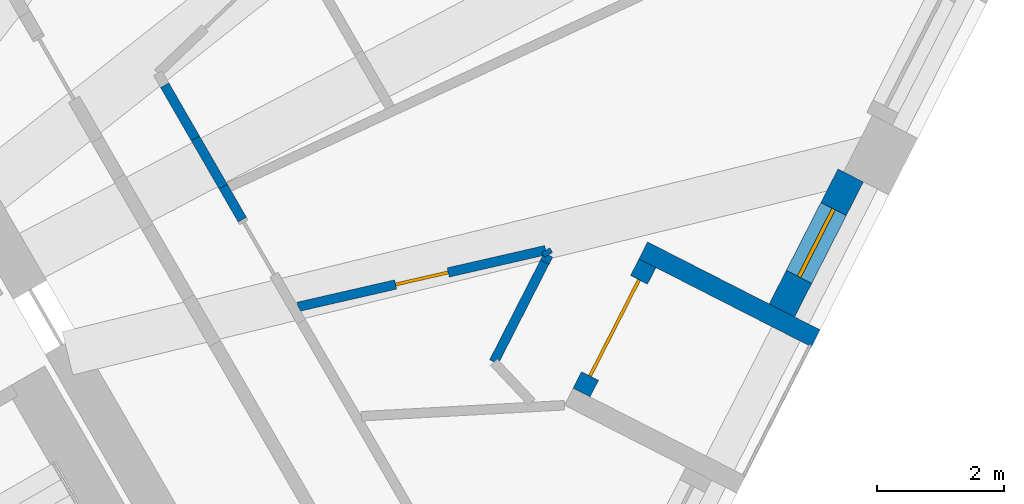
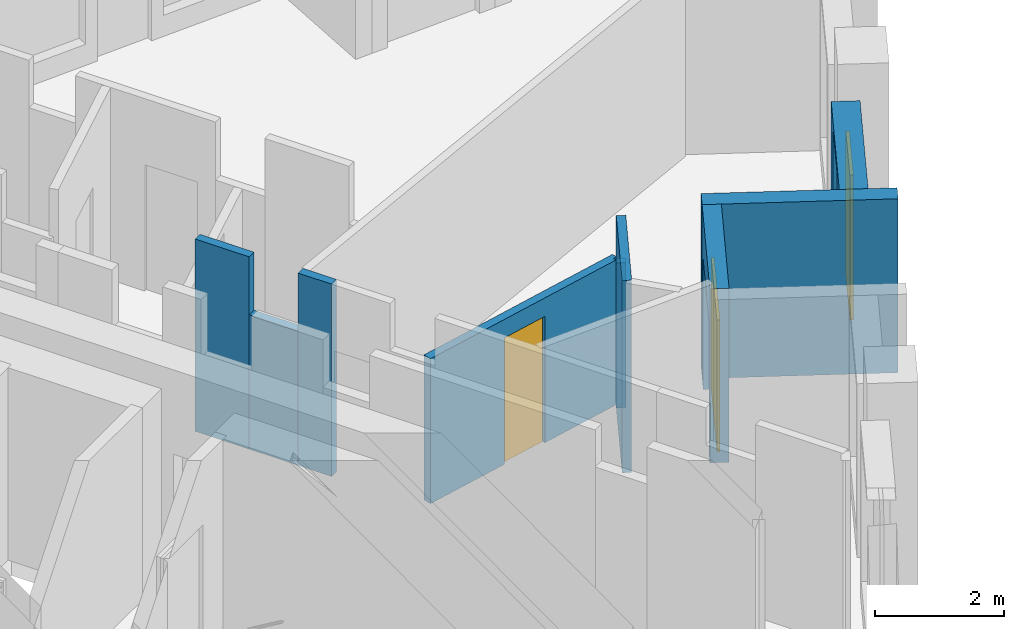
# One storey, part 6 of 13: 10 walls, 2 doors, 1 window, 3 openings.
"""IFC4 building model written with IfcOpenShell, lengths in metres."""

from ifc_helpers import new_model, si_unit, direction, frame, frame_2d, origin, place, context, subcontext, project, spatial, rectangle, extrude, material, layer, layer_set, type_object, element, fill, save


model = new_model("IFC4")

# Units and contexts
model_context = context("Model", 3, precision=1e-05, world=origin(), true_north=direction((0.0, 1.0)))
body_context = subcontext(model_context, "Body", "Model", "MODEL_VIEW")
ifc_project = project(units=[si_unit("LENGTHUNIT", "METRE"), si_unit("AREAUNIT", "SQUARE_METRE"), si_unit("VOLUMEUNIT", "CUBIC_METRE"), si_unit("PLANEANGLEUNIT", "RADIAN"), si_unit("MASSUNIT", "GRAM", prefix="KILO")], contexts=[model_context])

# Site, building, storey
site_placement = place(None, origin())
site = spatial("IfcSite", under=ifc_project, at=site_placement, CompositionType="ELEMENT")
building_placement = place(site_placement, origin())
building = spatial("IfcBuilding", under=site, at=building_placement, Name="Tramontana Tower", CompositionType="ELEMENT")
storey_placement = place(building_placement, frame((0.0, 0.0, 286.39990234375)))
storey = spatial("IfcBuildingStorey", under=building, at=storey_placement, Name="L67", CompositionType="ELEMENT", Elevation=286.39990234375)

# Wall, opening, window
ifc_material_1 = material(Name="Precast concrete 60 MPa", Category="concrete")
ifc_layer_1 = layer(ifc_material_1, 0.449951171875)
ifc_layer_set_1 = layer_set([ifc_layer_1], Name="Precast concrete 60 MPa, 450 mm")
wall_type_1 = type_object("IfcWallType", Name="EW1 Stone-faced precast wall 450", PredefinedType="SOLIDWALL", material=ifc_layer_set_1)
wall_1_placement = place(storey_placement, frame((17.796142578125, 2.27197265625, 0.0), z_axis=(0.0, 0.0, 1.0), x_axis=(0.453951830128, 0.891026226283, 0.0)))
wall_1 = element("IfcWall", 1, at=wall_1_placement, inside=storey, type_object=wall_type_1, Name="External wall L67 face 1 bay 4", PredefinedType="SOLIDWALL", context=body_context, shape_type="SweptSolid", body=[
    extrude(rectangle(XDim=2.38671875, YDim=0.449951171875, at=frame_2d((1.193359375, 0.0))), origin(), (0.0, 0.0, 1.0), 3.300048828125),
])
opening_1_placement = place(wall_1_placement, frame((0.59326171875, 0.0, 0.39990234375)))
opening_1 = element("IfcOpeningElement", 2, at=opening_1_placement, cuts=wall_1, Name="Opening N3", PredefinedType="OPENING", context=body_context, shape_type="SweptSolid", body=[
    extrude(rectangle(XDim=1.199951171875, YDim=2.75, at=frame_2d((0.60009765625, 1.375))), frame((0.0, 0.23486328125, 0.0), z_axis=(0.0, -1.0, 0.0), x_axis=(1.0, 0.0, 0.0)), (0.0, 0.0, 1.0), 0.469970703125),
])
ifc_material_2 = material(Name="Aluminum frame, double glazing unit", Category="aluminium")
window_type = type_object("IfcWindowType", Name="N3 Window 1.2 x 2.75", PartitioningType="SINGLE_PANEL", PredefinedType="WINDOW", material=ifc_material_2)
window_placement = place(opening_1_placement, origin())
window = element("IfcWindow", 3, at=window_placement, inside=storey, type_object=window_type, Name="Window N3 L67 face 1 module 12", OverallHeight=2.75, OverallWidth=1.199951171875, PartitioningType="SINGLE_PANEL", PredefinedType="WINDOW", context=body_context, shape_type="SweptSolid", body=[
    extrude(rectangle(XDim=1.199951171875, YDim=2.75, at=frame_2d((0.60009765625, 1.375))), frame((0.0, 0.030029296875, 0.0), z_axis=(0.0, -1.0, 0.0), x_axis=(1.0, 0.0, 0.0)), (0.0, 0.0, 1.0), 0.06005859375),
])
fill(opening_1, window)

# Wall, opening, door
ifc_material_3 = material(Name="Precast concrete 60 MPa", Category="concrete")
ifc_layer_2 = layer(ifc_material_3, 0.300048828125)
ifc_layer_set_2 = layer_set([ifc_layer_2], Name="LW1 Stone-faced loggia wall 300")
wall_type_2 = type_object("IfcWallType", Name="LW1 Stone-faced loggia wall 300", PredefinedType="SOLIDWALL", material=ifc_layer_set_2)
wall_2_placement = place(storey_placement, frame((14.63916015625, 0.977294921875, 0.0), z_axis=(0.0, 0.0, 1.0), x_axis=(0.45403292632, 0.890984905494, 0.0)))
wall_2 = element("IfcWall", 4, at=wall_2_placement, inside=storey, type_object=wall_type_2, Name="Loggia wall L67 G7S1.10", PredefinedType="SOLIDWALL", context=body_context, shape_type="SweptSolid", body=[
    extrude(rectangle(XDim=2.286865234375, YDim=0.300048828125, at=frame_2d((1.1435546875, 0.0))), origin(), (0.0, 0.0, 1.0), 3.300048828125),
])
opening_2_placement = place(wall_2_placement, frame((0.29345703125, 0.0, 0.0)))
opening_2 = element("IfcOpeningElement", 5, at=opening_2_placement, cuts=wall_2, Name="Opening BD-7S1-10", PredefinedType="OPENING", context=body_context, shape_type="SweptSolid", body=[
    extrude(rectangle(XDim=1.699951171875, YDim=2.5, at=frame_2d((0.85009765625, 1.25))), frame((0.0, 0.159912109375, 0.0), z_axis=(0.0, -1.0, 0.0), x_axis=(1.0, 0.0, 0.0)), (0.0, 0.0, 1.0), 0.320068359375),
])
ifc_material_4 = material(Name="Aluminum frame, double glazing unit", Category="aluminium")
door_type_1 = type_object("IfcDoorType", Name="BD3 Sliding door 1.7 x 2.5", OperationType="SLIDING_TO_LEFT", PredefinedType="DOOR", material=ifc_material_4)
door_1_placement = place(opening_2_placement, origin())
door_1 = element("IfcDoor", 6, at=door_1_placement, inside=storey, type_object=door_type_1, Name="Loggia door L67 G7S1.10", OperationType="SLIDING_TO_LEFT", OverallHeight=2.5, OverallWidth=1.699951171875, PredefinedType="DOOR", context=body_context, shape_type="SweptSolid", body=[
    extrude(rectangle(XDim=1.699951171875, YDim=2.5, at=frame_2d((0.85009765625, 1.25))), frame((0.0, 0.02490234375, 0.0), z_axis=(0.0, -1.0, 0.0), x_axis=(1.0, 0.0, 0.0)), (0.0, 0.0, 1.0), 0.050048828125),
])
fill(opening_2, door_1)

# Walls
wall_3_placement = place(storey_placement, frame((18.329345703125, 1.831787109375, 0.0), z_axis=(0.0, 0.0, 1.0), x_axis=(-0.890991233495, 0.454020508165, 0.0)))
element("IfcWall", 7, at=wall_3_placement, inside=storey, type_object=wall_type_2, Name="Loggia return L67 G7S1.10b", PredefinedType="SOLIDWALL", context=body_context, shape_type="SweptSolid", body=[
    extrude(rectangle(XDim=3.050048828125, YDim=0.300048828125, at=frame_2d((1.52490234375, 0.0))), origin(), (0.0, 0.0, 1.0), 3.300048828125),
])
ifc_material_5 = material(Name="Gypsum board partition")
ifc_layer_3 = layer(ifc_material_5, 0.14990234375)
ifc_layer_set_3 = layer_set([ifc_layer_3], Name="PARTITION 150")
wall_type_3 = type_object("IfcWallType", Name="PARTITION 150", PredefinedType="PARTITIONING", material=ifc_layer_set_3)
wall_4_placement = place(storey_placement, frame((8.071044921875, 5.820556640625, 0.0), z_axis=(0.0, 0.0, 1.0), x_axis=(0.500071713487, -0.865983996024, 0.0)))
element("IfcWall", 8, at=wall_4_placement, inside=storey, type_object=wall_type_3, Name="Wall v71-pw33-1", PredefinedType="PARTITIONING", context=body_context, shape_type="SweptSolid", body=[
    extrude(rectangle(XDim=0.968017578125, YDim=0.14990234375, at=frame_2d((0.48388671875, 0.0))), origin(), (0.0, 0.0, 1.0), 3.650146484375),
])
wall_5_placement = place(storey_placement, frame((8.55517578125, 4.982177734375, 0.0), z_axis=(0.0, 0.0, 1.0), x_axis=(0.499947731247, -0.86605557906, 0.0)))
element("IfcWall", 9, at=wall_5_placement, inside=storey, type_object=wall_type_3, Name="Wall v71-pw33-2", PredefinedType="PARTITIONING", context=body_context, shape_type="SweptSolid", body=[
    extrude(rectangle(XDim=0.87548828125, YDim=0.14990234375, at=frame_2d((0.437744140625, 0.0))), origin(), (0.0, 0.0, 1.0), 2.550048828125),
])
wall_6_placement = place(storey_placement, frame((8.992919921875, 4.223876953125, 0.0), z_axis=(0.0, 0.0, 1.0), x_axis=(0.499933044277, -0.866064057238, 0.0)))
element("IfcWall", 10, at=wall_6_placement, inside=storey, type_object=wall_type_3, Name="Wall v71-pw33-3", PredefinedType="PARTITIONING", context=body_context, shape_type="SweptSolid", body=[
    extrude(rectangle(XDim=0.60205078125, YDim=0.14990234375, at=frame_2d((0.301025390625, 0.0))), origin(), (0.0, 0.0, 1.0), 3.650146484375),
])

# Wall, opening, door
wall_7_placement = place(storey_placement, frame((14.07470703125, 3.221923828125, 0.0), z_axis=(0.0, 0.0, 1.0), x_axis=(-0.974783486008, -0.223152762489, 0.0)))
wall_7 = element("IfcWall", 11, at=wall_7_placement, inside=storey, type_object=wall_type_3, Name="Wall v71-pw34-0", PredefinedType="PARTITIONING", context=body_context, shape_type="SweptSolid", body=[
    extrude(rectangle(XDim=4.001953125, YDim=0.14990234375, at=frame_2d((2.0009765625, 0.0))), origin(), (0.0, 0.0, 1.0), 2.75),
])
opening_3_placement = place(wall_7_placement, frame((1.575927734375, 0.0, 0.0)))
opening_3 = element("IfcOpeningElement", 12, at=opening_3_placement, cuts=wall_7, Name="Opening B7B-19", PredefinedType="OPENING", context=body_context, shape_type="SweptSolid", body=[
    extrude(rectangle(XDim=0.85009765625, YDim=2.39990234375, at=frame_2d((0.425048828125, 1.199951171875))), frame((0.0, 0.0849609375, 0.0), z_axis=(0.0, -1.0, 0.0), x_axis=(1.0, 0.0, 0.0)), (0.0, 0.0, 1.0), 0.169921875),
])
ifc_material_6 = material(Name="Painted timber", Category="wood")
door_type_2 = type_object("IfcDoorType", Name="DOOR BATH 850", OperationType="SINGLE_SWING_LEFT", PredefinedType="DOOR", material=ifc_material_6)
door_2_placement = place(opening_3_placement, origin())
door_2 = element("IfcDoor", 13, at=door_2_placement, inside=storey, type_object=door_type_2, Name="Door B7B-19", OperationType="SINGLE_SWING_LEFT", OverallHeight=2.39990234375, OverallWidth=0.85009765625, PredefinedType="DOOR", context=body_context, shape_type="SweptSolid", body=[
    extrude(rectangle(XDim=0.85009765625, YDim=2.39990234375, at=frame_2d((0.425048828125, 1.199951171875))), frame((0.0, 0.02490234375, 0.0), z_axis=(0.0, -1.0, 0.0), x_axis=(1.0, 0.0, 0.0)), (0.0, 0.0, 1.0), 0.050048828125),
])
fill(opening_3, door_2)

# Walls
wall_8_placement = place(storey_placement, frame((14.07470703125, 3.221923828125, 0.0), z_axis=(0.0, 0.0, 1.0), x_axis=(0.498899561949, -0.866659810472, 0.0)))
element("IfcWall", 14, at=wall_8_placement, inside=storey, type_object=wall_type_3, Name="Wall v71-pw40-0", PredefinedType="PARTITIONING", context=body_context, shape_type="SweptSolid", body=[
    extrude(rectangle(XDim=0.085693359375, YDim=0.14990234375, at=frame_2d((0.04296875, 0.0))), origin(), (0.0, 0.0, 1.0), 2.75),
])
wall_9_placement = place(storey_placement, frame((14.117431640625, 3.147705078125, 0.0), z_axis=(0.0, 0.0, 1.0), x_axis=(-0.453815684732, -0.891095575284, 0.0)))
element("IfcWall", 15, at=wall_9_placement, inside=storey, type_object=wall_type_3, Name="Wall v71-pw41-0", PredefinedType="PARTITIONING", context=body_context, shape_type="SweptSolid", body=[
    extrude(rectangle(XDim=0.1328125, YDim=0.14990234375, at=frame_2d((0.06640625, 0.0))), origin(), (0.0, 0.0, 1.0), 2.75),
])
wall_10_placement = place(storey_placement, frame((14.05712890625, 3.029296875, 0.0), z_axis=(0.0, 0.0, 1.0), x_axis=(-0.454017099158, -0.890992970608, 0.0)))
element("IfcWall", 16, at=wall_10_placement, inside=storey, type_object=wall_type_3, Name="Wall v71-pw41-1", PredefinedType="PARTITIONING", context=body_context, shape_type="SweptSolid", body=[
    extrude(rectangle(XDim=1.76220703125, YDim=0.14990234375, at=frame_2d((0.881103515625, 0.0))), origin(), (0.0, 0.0, 1.0), 3.650146484375),
])

save(model, "model.ifc")
